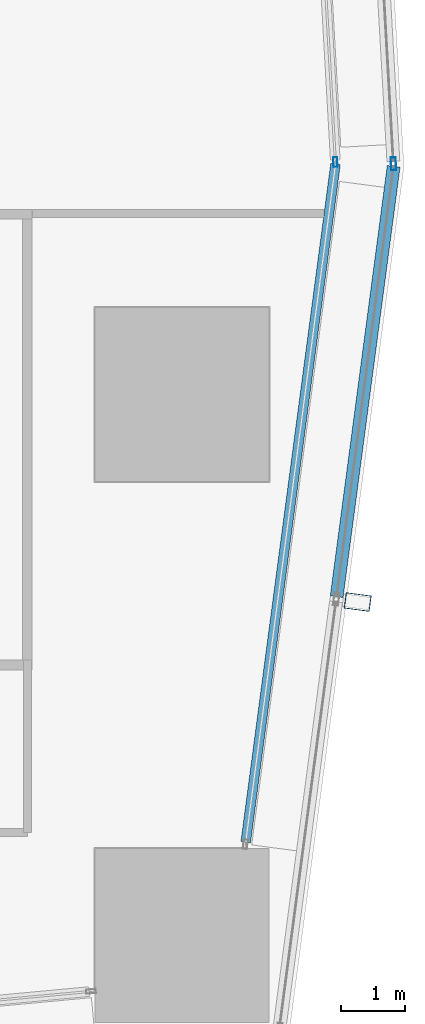
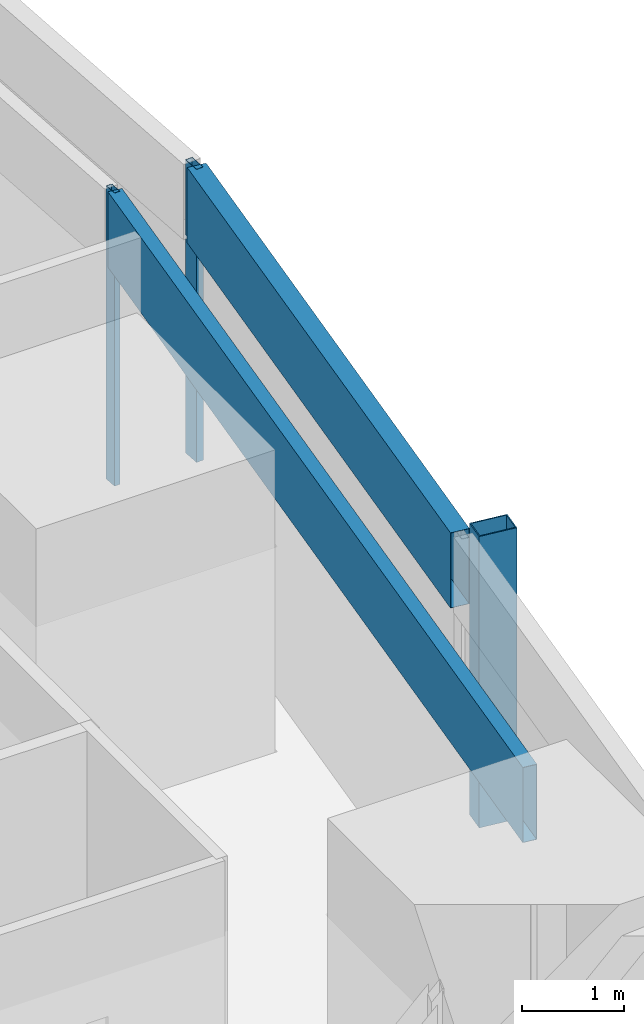
# One storey, part 11 of 36: 5 members, 4 elements without a shape of their own.
"""IFC4 building model written with IfcOpenShell, lengths in metres."""

from ifc_helpers import new_model, si_unit, direction, frame, origin, origin_2d, place, context, subcontext, project, spatial, hollow_rectangle, extrude, material, material_profile, profile_set, type_object, element, aggregate, save


model = new_model("IFC4")

# Units and contexts
model_context = context("Model", 3, precision=1e-05, world=origin(), true_north=direction((0.0, 1.0)))
body_context = subcontext(model_context, "Body", "Model", "MODEL_VIEW")
ifc_project = project(units=[si_unit("LENGTHUNIT", "METRE"), si_unit("AREAUNIT", "SQUARE_METRE"), si_unit("VOLUMEUNIT", "CUBIC_METRE"), si_unit("PLANEANGLEUNIT", "RADIAN"), si_unit("MASSUNIT", "GRAM", prefix="KILO")], contexts=[model_context])

# Site, building, storey
site_placement = place(None, origin())
site = spatial("IfcSite", under=ifc_project, at=site_placement, CompositionType="ELEMENT")
building_placement = place(site_placement, origin())
building = spatial("IfcBuilding", under=site, at=building_placement, Name="Rekha Terrace Tower", CompositionType="ELEMENT")
storey_placement = place(building_placement, frame((0.0, 0.0, 172.699951171875)))
storey = spatial("IfcBuildingStorey", under=building, at=storey_placement, Name="L43", CompositionType="ELEMENT", Elevation=172.699951171875)

# Curtain wall, member
ifc_material_1 = material(Name="Aluminium framing", Category="aluminium")
curtain_wall_type_1 = type_object("IfcCurtainWallType", Name="CW2 double skin outer glazing", PredefinedType="USERDEFINED", material=ifc_material_1)
curtain_wall_1_placement = place(storey_placement, origin())
curtain_wall_1 = element("IfcCurtainWall", 1, at=curtain_wall_1_placement, inside=storey, type_object=curtain_wall_type_1, Name="CW2 double skin outer glazing", ObjectType="DOUBLE SKIN OUTER GLAZING", PredefinedType="USERDEFINED")
ifc_material_2 = material(Name="Steel S355 with fluorocarbon finish", Category="steel")
ifc_material_profile_1 = material_profile(ifc_material_2, hollow_rectangle(XDim=0.25, YDim=0.39990234375, WallThickness=0.012451171875, at=origin_2d()), Name="RHS400x250x12.5")
ifc_profile_set_1 = profile_set([ifc_material_profile_1], Name="Steel S355 with fluorocarbon finish")
member_type_1 = type_object("IfcMemberType", Name="BL1 facade blade RHS 400 x 250", PredefinedType="USERDEFINED", material=ifc_profile_set_1)
member_1_placement = place(storey_placement, frame((61.531005859375, 21.977783203125, 0.02001953125), z_axis=(0.0, 0.0, 1.0), x_axis=(0.131303100637, 0.991342269735, 0.0)))
member_1 = element("IfcMember", 2, at=member_1_placement, type_object=member_type_1, Name="Facade blade", ObjectType="FACADE BLADE", PredefinedType="USERDEFINED", context=body_context, shape_type="SweptSolid", body=[
    extrude(hollow_rectangle(XDim=0.25, YDim=0.39990234375, WallThickness=0.012451171875, at=origin_2d()), origin(), (0.0, 0.0, 1.0), 3.47998046875),
])

curtain_wall_type_2 = type_object("IfcCurtainWallType", Name="CW1 double skin inner glazing", PredefinedType="USERDEFINED", material=ifc_material_1)
curtain_wall_2_placement = place(storey_placement, origin())
curtain_wall_2 = element("IfcCurtainWall", 3, at=curtain_wall_2_placement, inside=storey, type_object=curtain_wall_type_2, Name="CW1 double skin inner glazing", ObjectType="DOUBLE SKIN INNER GLAZING", PredefinedType="USERDEFINED")
ifc_material_3 = material(Name="Aluminium mullion section", Category="aluminium")
ifc_material_profile_2 = material_profile(ifc_material_3, hollow_rectangle(XDim=0.06494140625, YDim=0.14990234375, WallThickness=0.00390625, at=origin_2d()), Name="AL RHS 65x150")
ifc_profile_set_2 = profile_set([ifc_material_profile_2], Name="Aluminium mullion section")
member_type_2 = type_object("IfcMemberType", Name="CW1 mullion RHS 65 x 150", PredefinedType="MULLION", material=ifc_profile_set_2)
member_2_placement = place(storey_placement, frame((61.18408203125, 28.812255859375, 0.0), z_axis=(0.0, 0.0, 1.0), x_axis=(-0.998392782918, -0.056673194877, 0.0)))
member_2 = element("IfcMember", 4, at=member_2_placement, type_object=member_type_2, Name="CW1 mullion 1", PredefinedType="MULLION", context=body_context, shape_type="SweptSolid", body=[
    extrude(hollow_rectangle(XDim=0.06494140625, YDim=0.14990234375, WallThickness=0.00390625, at=origin_2d()), origin(), (0.0, 0.0, 1.0), 3.5),
])
aggregate(curtain_wall_2, [member_2])

curtain_wall_3_placement = place(storey_placement, origin())
curtain_wall_3 = element("IfcCurtainWall", 5, at=curtain_wall_3_placement, inside=storey, type_object=curtain_wall_type_2, Name="CW1 double skin inner glazing", ObjectType="DOUBLE SKIN INNER GLAZING", PredefinedType="USERDEFINED")
ifc_material_4 = material(Name="Insulated aluminium spandrel box", Category="aluminium")
ifc_material_profile_3 = material_profile(ifc_material_4, hollow_rectangle(XDim=0.14990234375, YDim=0.89990234375, WallThickness=0.0029296875, at=origin_2d()), Name="AL SPANDREL BOX 150x900")
ifc_profile_set_3 = profile_set([ifc_material_profile_3], Name="Insulated aluminium spandrel box")
member_type_3 = type_object("IfcMemberType", Name="CW1 spandrel transom 150 x 900", PredefinedType="USERDEFINED", material=ifc_profile_set_3)
member_3_placement = place(storey_placement, frame((59.791015625, 18.246826171875, 3.050048828125), z_axis=(0.131296723808, 0.991343114324, 0.0), x_axis=(-0.991343114324, 0.131296723808, 0.0)))
member_3 = element("IfcMember", 6, at=member_3_placement, type_object=member_type_3, Name="CW1 spandrel transom 1", ObjectType="TRANSOM", PredefinedType="USERDEFINED", context=body_context, shape_type="SweptSolid", body=[
    extrude(hollow_rectangle(XDim=0.14990234375, YDim=0.89990234375, WallThickness=0.0029296875, at=origin_2d()), origin(), (0.0, 0.0, 1.0), 10.625),
])
aggregate(curtain_wall_3, [member_3])

curtain_wall_4_placement = place(storey_placement, origin())
curtain_wall_4 = element("IfcCurtainWall", 7, at=curtain_wall_4_placement, inside=storey, type_object=curtain_wall_type_1, Name="CW2 double skin outer glazing", ObjectType="DOUBLE SKIN OUTER GLAZING", PredefinedType="USERDEFINED")
ifc_material_profile_4 = material_profile(ifc_material_3, hollow_rectangle(XDim=0.080078125, YDim=0.199951171875, WallThickness=0.00390625, at=origin_2d()), Name="AL RHS 80x200")
ifc_profile_set_4 = profile_set([ifc_material_profile_4], Name="Aluminium mullion section")
member_type_4 = type_object("IfcMemberType", Name="CW2 mullion RHS 80 x 200", PredefinedType="MULLION", material=ifc_profile_set_4)
member_4_placement = place(storey_placement, frame((62.087158203125, 28.785888671875, 0.0), z_axis=(0.0, 0.0, 1.0), x_axis=(-0.998392782919, -0.05667319486, 0.0)))
member_4 = element("IfcMember", 8, at=member_4_placement, type_object=member_type_4, Name="CW2 mullion 1", PredefinedType="MULLION", context=body_context, shape_type="SweptSolid", body=[
    extrude(hollow_rectangle(XDim=0.080078125, YDim=0.199951171875, WallThickness=0.00390625, at=origin_2d()), origin(), (0.0, 0.0, 1.0), 3.5),
])
aggregate(curtain_wall_4, [member_4])

# Member
ifc_material_profile_5 = material_profile(ifc_material_4, hollow_rectangle(XDim=0.199951171875, YDim=0.89990234375, WallThickness=0.0029296875, at=origin_2d()), Name="AL SPANDREL BOX 200x900")
ifc_profile_set_5 = profile_set([ifc_material_profile_5], Name="Insulated aluminium spandrel box")
member_type_5 = type_object("IfcMemberType", Name="CW2 spandrel transom 200 x 900", PredefinedType="USERDEFINED", material=ifc_profile_set_5)
member_5_placement = place(storey_placement, frame((61.2041015625, 22.0615234375, 3.050048828125), z_axis=(0.131286165193, 0.991344512684, 0.0), x_axis=(-0.991344512684, 0.131286165193, 0.0)))
member_5 = element("IfcMember", 9, at=member_5_placement, type_object=member_type_5, Name="CW2 spandrel transom 2", ObjectType="TRANSOM", PredefinedType="USERDEFINED", context=body_context, shape_type="SweptSolid", body=[
    extrude(hollow_rectangle(XDim=0.199951171875, YDim=0.89990234375, WallThickness=0.0029296875, at=origin_2d()), origin(), (0.0, 0.0, 1.0), 6.742919921875),
])

aggregate(curtain_wall_1, [member_5, member_1])

save(model, "model.ifc")
